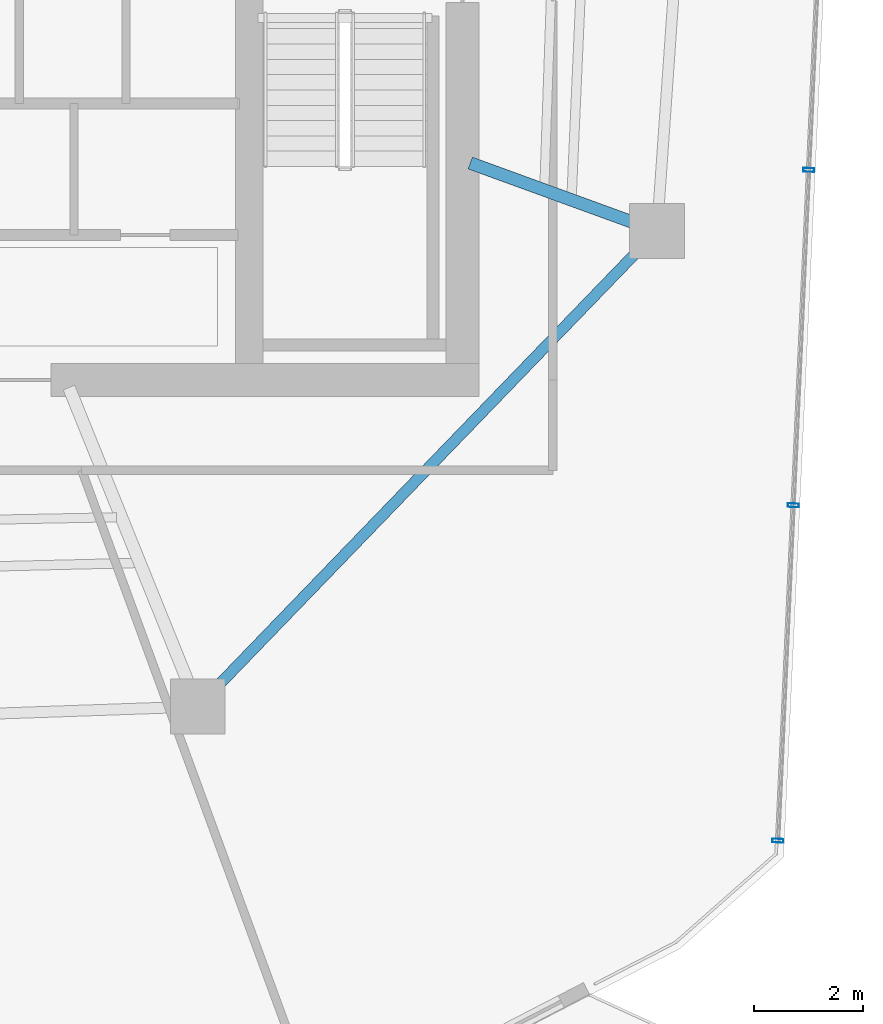
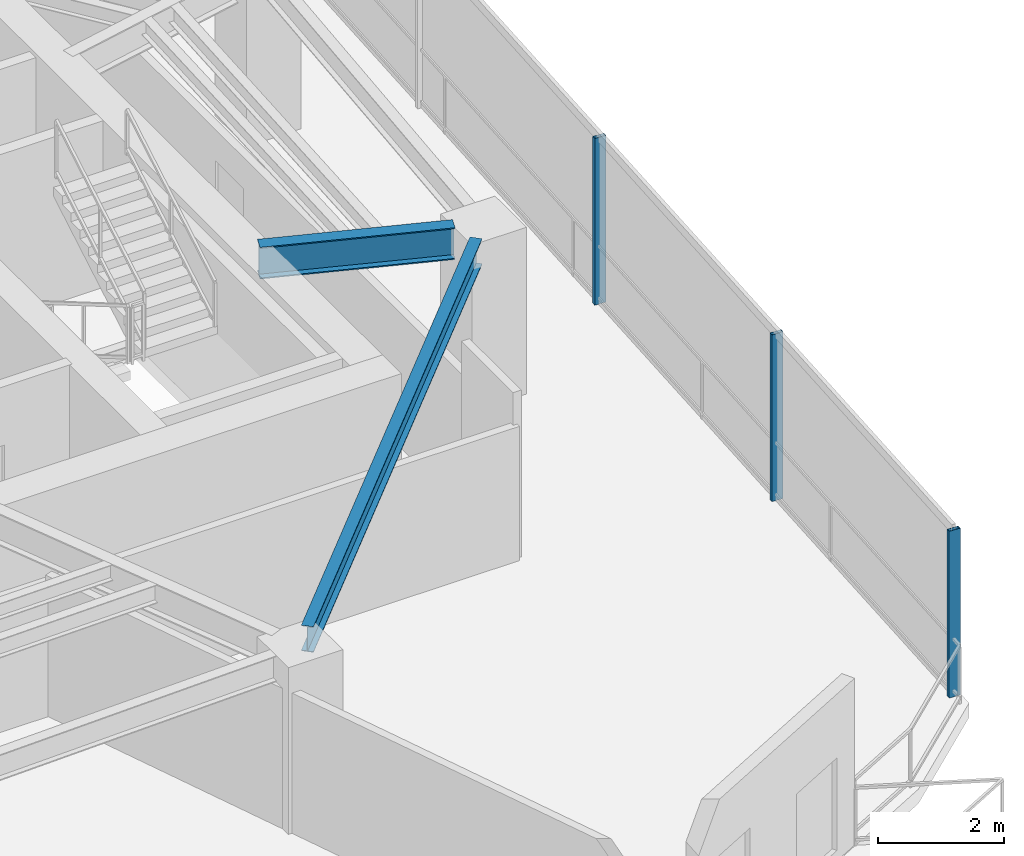
# One storey, part 8 of 20: 3 members, 2 beams, 1 element without a shape of its own.
"""IFC4 building model written with IfcOpenShell, lengths in metres."""

from ifc_helpers import new_model, si_unit, direction, frame, origin, origin_2d, place, context, subcontext, project, spatial, hollow_rectangle, i_section, extrude, material, layer, layer_set, material_profile, profile_set, type_object, element, aggregate, save


model = new_model("IFC4")

# Units and contexts
model_context = context("Model", 3, precision=1e-05, world=origin(), true_north=direction((0.0, 1.0)))
body_context = subcontext(model_context, "Body", "Model", "MODEL_VIEW")
ifc_project = project(units=[si_unit("LENGTHUNIT", "METRE"), si_unit("AREAUNIT", "SQUARE_METRE"), si_unit("VOLUMEUNIT", "CUBIC_METRE"), si_unit("PLANEANGLEUNIT", "RADIAN"), si_unit("MASSUNIT", "GRAM", prefix="KILO")], contexts=[model_context])

# Site, building, storey
site_placement = place(None, origin())
site = spatial("IfcSite", under=ifc_project, at=site_placement, CompositionType="ELEMENT")
building_placement = place(site_placement, origin())
building = spatial("IfcBuilding", under=site, at=building_placement, Name="Qarnah Convention Tower", CompositionType="ELEMENT")
storey_placement = place(building_placement, frame((0.0, 0.0, 168.89990234375)))
storey = spatial("IfcBuildingStorey", under=building, at=storey_placement, Name="L45", CompositionType="ELEMENT", Elevation=168.89990234375)

# Beams
ifc_material_1 = material(Name="Structural steel S355JR", Category="steel")
ifc_material_profile_1 = material_profile(ifc_material_1, i_section(OverallWidth=0.22998046875, OverallDepth=0.617919921875, WebThickness=0.012939453125, FlangeThickness=0.02197265625, at=origin_2d()), Name="W610X140")
ifc_profile_set_1 = profile_set([ifc_material_profile_1], Name="Structural steel S355JR")
beam_type_1 = type_object("IfcBeamType", Name="BM-RAD-W610A", PredefinedType="BEAM", material=ifc_profile_set_1)
beam_1_placement = place(storey_placement, frame((47.740966796875, 22.56396484375, 2.93115234375), z_axis=(0.939610124669, -0.342246714549, 0.0), x_axis=(0.342246714549, 0.939610124669, 0.0)))
element("IfcBeam", 1, at=beam_1_placement, inside=storey, type_object=beam_type_1, Name="L45 beam BM-L45-RAD-09", PredefinedType="BEAM", context=body_context, shape_type="SweptSolid", body=[
    extrude(i_section(OverallWidth=0.22998046875, OverallDepth=0.617919921875, WebThickness=0.012939453125, FlangeThickness=0.02197265625, at=origin_2d()), origin(), (0.0, 0.0, 1.0), 3.15234375),
])
ifc_material_profile_2 = material_profile(ifc_material_1, i_section(OverallWidth=0.199951171875, OverallDepth=0.5, WebThickness=0.010009765625, FlangeThickness=0.01611328125, at=origin_2d()), Name="IPE500")
ifc_profile_set_2 = profile_set([ifc_material_profile_2], Name="Structural steel S355JR")
beam_type_2 = type_object("IfcBeamType", Name="BM-SPN-IPE500", PredefinedType="SPANDREL", material=ifc_profile_set_2)
beam_2_placement = place(storey_placement, frame((43.10302734375, 12.98291015625, 2.989990234375), z_axis=(0.694605503013, 0.719390850084, 0.0), x_axis=(-0.719390850084, 0.694605503013, 0.0)))
element("IfcBeam", 2, at=beam_2_placement, inside=storey, type_object=beam_type_2, Name="L45 spandrel BM-L45-SPN-08", PredefinedType="SPANDREL", context=body_context, shape_type="SweptSolid", body=[
    extrude(i_section(OverallWidth=0.199951171875, OverallDepth=0.5, WebThickness=0.010009765625, FlangeThickness=0.01611328125, at=origin_2d()), origin(), (0.0, 0.0, 1.0), 11.10107421875),
])

# Curtain wall, members
ifc_material_2 = material(Name="Tempered Low-E dark glass", Category="glass")
ifc_layer = layer(ifc_material_2, 0.172119140625)
ifc_layer_set = layer_set([ifc_layer], Name="Tempered Low-E dark glass")
curtain_wall_type = type_object("IfcCurtainWallType", Name="CWS-03", PredefinedType="NOTDEFINED", material=ifc_layer_set)
curtain_wall_placement = place(storey_placement, origin())
curtain_wall = element("IfcCurtainWall", 3, at=curtain_wall_placement, inside=storey, type_object=curtain_wall_type, Name="L45 unitised curtain wall CW-L45-F3", PredefinedType="NOTDEFINED")
ifc_material_3 = material(Name="Black anodised aluminium", Category="aluminium")
ifc_material_profile_3 = material_profile(ifc_material_3, hollow_rectangle(XDim=0.070068359375, YDim=0.199951171875, WallThickness=0.0048828125, at=origin_2d()), Name="MUL-70X200")
ifc_profile_set_3 = profile_set([ifc_material_profile_3], Name="Black anodised aluminium")
member_type = type_object("IfcMemberType", Name="MUL-T3", PredefinedType="MULLION", material=ifc_profile_set_3)
member_1_placement = place(storey_placement, frame((53.92724609375, 22.43798828125, 0.0), z_axis=(0.0, 0.0, 1.0), x_axis=(-0.04605972752, -0.998938687558, 0.0)))
member_1 = element("IfcMember", 4, at=member_1_placement, type_object=member_type, Name="CW-L45-F3 mullion 4", PredefinedType="MULLION", context=body_context, shape_type="SweptSolid", body=[
    extrude(hollow_rectangle(XDim=0.070068359375, YDim=0.199951171875, WallThickness=0.0048828125, at=origin_2d()), origin(), (0.0, 0.0, 1.0), 3.239990234375),
])
member_2_placement = place(storey_placement, frame((53.64453125, 16.30908203125, 0.0), z_axis=(0.0, 0.0, 1.0), x_axis=(-0.04605972752, -0.998938687558, 0.0)))
member_2 = element("IfcMember", 5, at=member_2_placement, type_object=member_type, Name="CW-L45-F3 mullion 5", PredefinedType="MULLION", context=body_context, shape_type="SweptSolid", body=[
    extrude(hollow_rectangle(XDim=0.070068359375, YDim=0.199951171875, WallThickness=0.0048828125, at=origin_2d()), origin(), (0.0, 0.0, 1.0), 3.239990234375),
])
member_3_placement = place(storey_placement, frame((53.362060546875, 10.179931640625, 0.0), z_axis=(0.0, 0.0, 1.0), x_axis=(-0.04605972752, -0.998938687558, 0.0)))
member_3 = element("IfcMember", 6, at=member_3_placement, type_object=member_type, Name="CW-L45-F3 mullion 6", PredefinedType="MULLION", context=body_context, shape_type="SweptSolid", body=[
    extrude(hollow_rectangle(XDim=0.070068359375, YDim=0.199951171875, WallThickness=0.0048828125, at=origin_2d()), origin(), (0.0, 0.0, 1.0), 3.239990234375),
])
aggregate(curtain_wall, [member_1, member_2, member_3])

save(model, "model.ifc")
